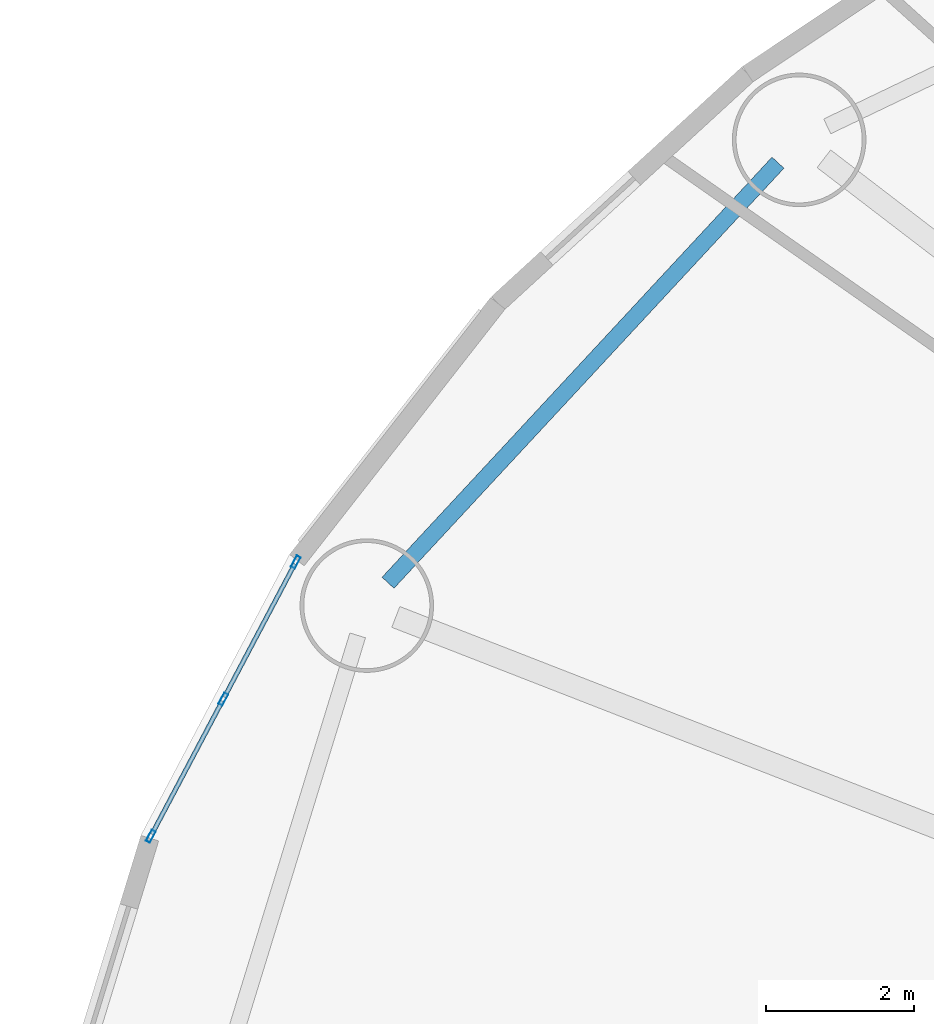
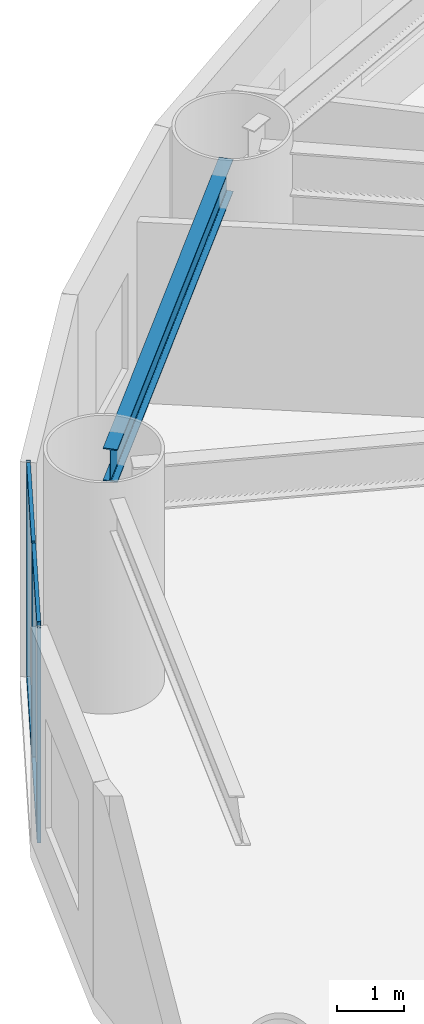
# One storey, part 8 of 31: 7 members, 1 beam, 1 element without a shape of its own.
"""IFC4 building model written with IfcOpenShell, lengths in metres."""

from ifc_helpers import new_model, si_unit, direction, frame, origin, origin_2d, place, context, subcontext, project, spatial, hollow_rectangle, i_section, extrude, source, transform, mapped, material, layer, layer_set, material_profile, profile_set, type_object, element, aggregate, save


model = new_model("IFC4")

# Units and contexts
model_context = context("Model", 3, precision=1e-05, world=origin(), true_north=direction((0.0, 1.0)))
body_context = subcontext(model_context, "Body", "Model", "MODEL_VIEW")
ifc_project = project(units=[si_unit("LENGTHUNIT", "METRE"), si_unit("AREAUNIT", "SQUARE_METRE"), si_unit("VOLUMEUNIT", "CUBIC_METRE"), si_unit("PLANEANGLEUNIT", "RADIAN"), si_unit("MASSUNIT", "GRAM", prefix="KILO")], contexts=[model_context])

# Site, building, storey
site_placement = place(None, origin())
site = spatial("IfcSite", under=ifc_project, at=site_placement, CompositionType="ELEMENT")
building_placement = place(site_placement, origin())
building = spatial("IfcBuilding", under=site, at=building_placement, Name="Linh Dai School and Residence Tower", CompositionType="ELEMENT")
storey_placement = place(building_placement, frame((0.0, 0.0, 6.0)))
storey = spatial("IfcBuildingStorey", under=building, at=storey_placement, Name="L01", CompositionType="ELEMENT", Elevation=6.0)

# Beam
ifc_material_1 = material(Name="Structural Steel S355JR", Category="steel")
ifc_material_profile_1 = material_profile(ifc_material_1, i_section(OverallWidth=0.219970703125, OverallDepth=0.60009765625, WebThickness=0.011962890625, FlangeThickness=0.01904296875, FilletRadius=0.02392578125, at=origin_2d()), Name="IPE 600")
ifc_profile_set_1 = profile_set([ifc_material_profile_1], Name="Structural Steel S355JR")
beam_type = type_object("IfcBeamType", Name="BM-RB60", PredefinedType="BEAM", material=ifc_profile_set_1)
beam_placement = place(storey_placement, frame((13.009033203125, 44.0927734375, 3.60009765625), z_axis=(-0.680345653715, -0.73289139132, 0.0), x_axis=(0.73289139132, -0.680345653715, 0.0)))
element("IfcBeam", 1, at=beam_placement, inside=storey, type_object=beam_type, Name="L01 Perimeter Elliptical Ring Beam 07", PredefinedType="BEAM", context=body_context, shape_type="SweptSolid", body=[
    extrude(i_section(OverallWidth=0.219970703125, OverallDepth=0.60009765625, WebThickness=0.011962890625, FlangeThickness=0.01904296875, FilletRadius=0.02392578125, at=origin_2d()), origin(), (0.0, 0.0, 1.0), 7.726806640625),
])

# Curtain wall, members
ifc_material_2 = material(Name="Aluminium Anodised Curtain Wall", Category="aluminium")
ifc_layer = layer(ifc_material_2, 0.169921875)
ifc_layer_set = layer_set([ifc_layer], Name="Aluminium Anodised Curtain Wall")
curtain_wall_type = type_object("IfcCurtainWallType", Name="CW-SYS-2", PredefinedType="USERDEFINED", material=ifc_layer_set)
curtain_wall_placement = place(storey_placement, origin())
curtain_wall = element("IfcCurtainWall", 2, at=curtain_wall_placement, inside=storey, type_object=curtain_wall_type, Name="L01 CW2 Curtain Wall 18", ObjectType="UNITISED CURTAIN WALL", PredefinedType="USERDEFINED")
ifc_material_3 = material(Name="Aluminium Alloy 6063-T6", Category="aluminium")
ifc_material_profile_2 = material_profile(ifc_material_3, hollow_rectangle(XDim=0.06005859375, YDim=0.169921875, WallThickness=0.00390625, at=origin_2d()), Name="RHS 170x60x4")
ifc_profile_set_2 = profile_set([ifc_material_profile_2], Name="Aluminium Alloy 6063-T6")
member_type_1 = type_object("IfcMemberType", Name="CW-SYS-2-MUL", PredefinedType="MULLION", material=ifc_profile_set_2)
shared_shape_1 = source(origin(), body_context, "Body", "SweptSolid", [
    extrude(hollow_rectangle(XDim=0.06005859375, YDim=0.169921875, WallThickness=0.00390625, at=origin_2d()), origin(), (0.0, 0.0, 1.0), 3.89990234375),
])
member_1_placement = place(storey_placement, frame((4.554443359375, 35.012939453125, 0.0), z_axis=(0.0, 0.0, 1.0), x_axis=(-0.883963927118, 0.467555104298, 0.0)))
member_1 = element("IfcMember", 3, at=member_1_placement, type_object=member_type_1, Name="CW2 mullion 1", PredefinedType="MULLION", context=body_context, shape_type="MappedRepresentation", body=[
    mapped(shared_shape_1, transform((0.0, 0.0, 0.0), x_axis=(1.0, 0.0, 0.0), y_axis=(0.0, 1.0, 0.0), z_axis=(0.0, 0.0, 1.0), scale=1.0)),
])
member_2_placement = place(storey_placement, frame((5.531982421875, 36.861083984375, 0.0), z_axis=(0.0, 0.0, 1.0), x_axis=(-0.883963927118, 0.467555104298, 0.0)))
member_2 = element("IfcMember", 4, at=member_2_placement, type_object=member_type_1, Name="CW2 mullion 2", PredefinedType="MULLION", context=body_context, shape_type="MappedRepresentation", body=[
    mapped(shared_shape_1, transform((0.0, 0.0, 0.0), x_axis=(1.0, 0.0, 0.0), y_axis=(0.0, 1.0, 0.0), z_axis=(0.0, 0.0, 1.0), scale=1.0)),
])
member_3_placement = place(storey_placement, frame((6.50927734375, 38.708984375, 0.0), z_axis=(0.0, 0.0, 1.0), x_axis=(-0.883963927118, 0.467555104298, 0.0)))
member_3 = element("IfcMember", 5, at=member_3_placement, type_object=member_type_1, Name="CW2 mullion 3", PredefinedType="MULLION", context=body_context, shape_type="MappedRepresentation", body=[
    mapped(shared_shape_1, transform((0.0, 0.0, 0.0), x_axis=(1.0, 0.0, 0.0), y_axis=(0.0, 1.0, 0.0), z_axis=(0.0, 0.0, 1.0), scale=1.0)),
])
ifc_material_profile_3 = material_profile(ifc_material_3, hollow_rectangle(XDim=0.06005859375, YDim=0.1298828125, WallThickness=0.00390625, at=origin_2d()), Name="RHS 130x60x4")
ifc_profile_set_3 = profile_set([ifc_material_profile_3], Name="Aluminium Alloy 6063-T6")
member_type_2 = type_object("IfcMemberType", Name="CW-SYS-2-TRN", PredefinedType="USERDEFINED", material=ifc_profile_set_3)
shared_shape_2 = source(origin(), body_context, "Body", "SweptSolid", [
    extrude(hollow_rectangle(XDim=0.06005859375, YDim=0.1298828125, WallThickness=0.00390625, at=origin_2d()), origin(), (0.0, 0.0, 1.0), 2.030517578125),
])
member_4_placement = place(storey_placement, frame((4.568359375, 35.03955078125, 0.030029296875), z_axis=(0.467583862208, 0.883948715596, 0.0), x_axis=(-0.883948715596, 0.467583862208, 0.0)))
member_4 = element("IfcMember", 6, at=member_4_placement, type_object=member_type_2, Name="CW2 transom 1.1", ObjectType="TRANSOM", PredefinedType="USERDEFINED", context=body_context, shape_type="MappedRepresentation", body=[
    mapped(shared_shape_2, transform((0.0, 0.0, 0.0), x_axis=(1.0, 0.0, 0.0), y_axis=(0.0, 1.0, 0.0), z_axis=(0.0, 0.0, 1.0), scale=1.0)),
])
member_5_placement = place(storey_placement, frame((4.568359375, 35.03955078125, 3.8701171875), z_axis=(0.467583862208, 0.883948715596, 0.0), x_axis=(-0.883948715596, 0.467583862208, 0.0)))
member_5 = element("IfcMember", 7, at=member_5_placement, type_object=member_type_2, Name="CW2 transom 1.2", ObjectType="TRANSOM", PredefinedType="USERDEFINED", context=body_context, shape_type="MappedRepresentation", body=[
    mapped(shared_shape_2, transform((0.0, 0.0, 0.0), x_axis=(1.0, 0.0, 0.0), y_axis=(0.0, 1.0, 0.0), z_axis=(0.0, 0.0, 1.0), scale=1.0)),
])
member_6_placement = place(storey_placement, frame((5.5458984375, 36.8876953125, 0.030029296875), z_axis=(0.467583862208, 0.883948715596, 0.0), x_axis=(-0.883948715596, 0.467583862208, 0.0)))
member_6 = element("IfcMember", 8, at=member_6_placement, type_object=member_type_2, Name="CW2 transom 2.1", ObjectType="TRANSOM", PredefinedType="USERDEFINED", context=body_context, shape_type="MappedRepresentation", body=[
    mapped(shared_shape_2, transform((0.0, 0.0, 0.0), x_axis=(1.0, 0.0, 0.0), y_axis=(0.0, 1.0, 0.0), z_axis=(0.0, 0.0, 1.0), scale=1.0)),
])
member_7_placement = place(storey_placement, frame((5.5458984375, 36.8876953125, 3.8701171875), z_axis=(0.467583862208, 0.883948715596, 0.0), x_axis=(-0.883948715596, 0.467583862208, 0.0)))
member_7 = element("IfcMember", 9, at=member_7_placement, type_object=member_type_2, Name="CW2 transom 2.2", ObjectType="TRANSOM", PredefinedType="USERDEFINED", context=body_context, shape_type="MappedRepresentation", body=[
    mapped(shared_shape_2, transform((0.0, 0.0, 0.0), x_axis=(1.0, 0.0, 0.0), y_axis=(0.0, 1.0, 0.0), z_axis=(0.0, 0.0, 1.0), scale=1.0)),
])
aggregate(curtain_wall, [member_1, member_2, member_3, member_4, member_5, member_6, member_7])

save(model, "model.ifc")
